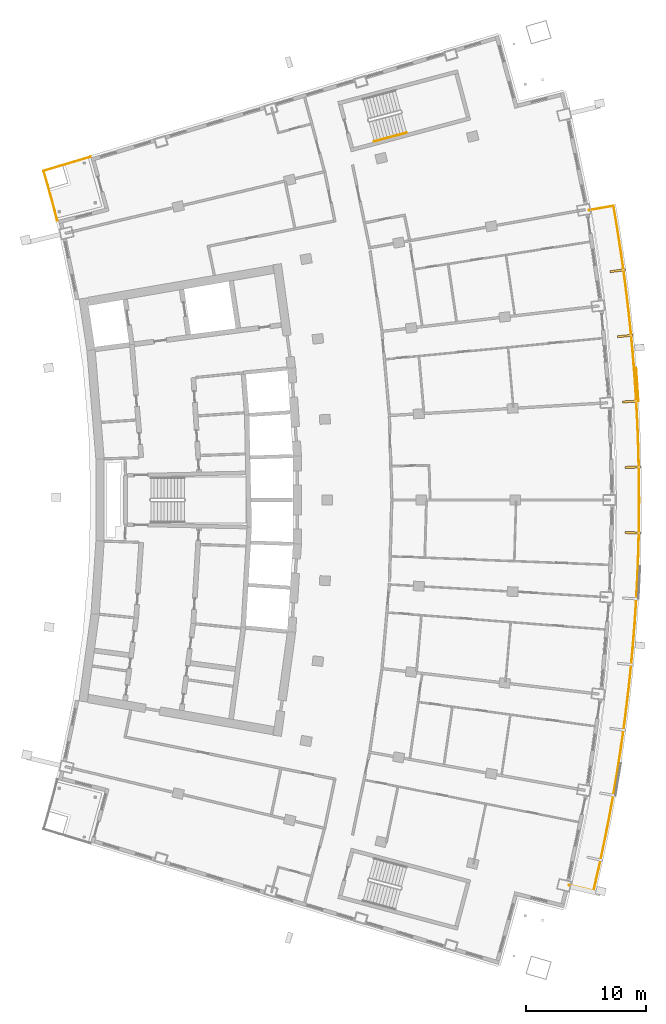
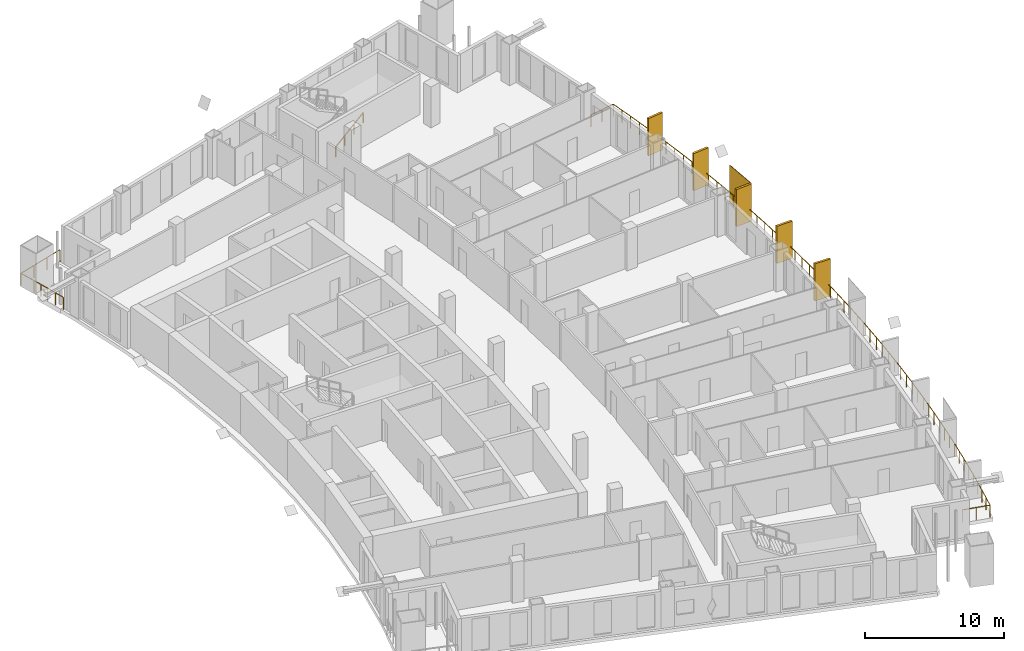
# One storey, part 19 of 20: 6 shading devices, 3 railings.
"""IFC4 building model written with IfcOpenShell, lengths in metres."""

from ifc_helpers import new_model, si_unit, direction, frame, origin, origin_2d, place, context, subcontext, project, spatial, rectangle, extrude, material, layer, layer_set, type_object, element, save


model = new_model("IFC4")

# Units and contexts
model_context = context("Model", 3, precision=1e-05, world=origin(), true_north=direction((0.0, 1.0)))
body_context = subcontext(model_context, "Body", "Model", "MODEL_VIEW")
ifc_project = project(units=[si_unit("LENGTHUNIT", "METRE"), si_unit("AREAUNIT", "SQUARE_METRE"), si_unit("VOLUMEUNIT", "CUBIC_METRE"), si_unit("PLANEANGLEUNIT", "RADIAN"), si_unit("MASSUNIT", "GRAM", prefix="KILO")], contexts=[model_context])

# Site, building, storey
site_placement = place(None, origin())
site = spatial("IfcSite", under=ifc_project, at=site_placement, CompositionType="ELEMENT")
building_placement = place(site_placement, origin())
building = spatial("IfcBuilding", under=site, at=building_placement, Name="Alderwake Tower", CompositionType="ELEMENT")
storey_placement = place(building_placement, frame((0.0, 0.0, 167.60009765625)))
storey = spatial("IfcBuildingStorey", under=building, at=storey_placement, Name="L41", CompositionType="ELEMENT", Elevation=167.60009765625)

# Railings
ifc_material_1 = material(Name="Stainless steel 316 rail and posts", Category="steel")
railing_type_1 = type_object("IfcRailingType", Name="Balcony guard 1100", PredefinedType="GUARDRAIL", material=ifc_material_1)
railing_1_placement = place(storey_placement, frame((56.0341796875, 28.77099609375, 0.0)))
element("IfcRailing", 1, at=railing_1_placement, inside=storey, type_object=railing_type_1, Name="Guard BF03", PredefinedType="GUARDRAIL", context=body_context, shape_type="SweptSolid", body=[
    extrude(rectangle(XDim=0.048095703125, YDim=0.048095703125, at=origin_2d()), frame((0.0, 0.0, 1.076171875), z_axis=(0.973063818564, -0.230535908269, 0.0), x_axis=(0.230535908269, 0.973063818564, 0.0)), (0.0, 0.0, 1.0), 2.10009765625),
    extrude(rectangle(XDim=0.048095703125, YDim=0.048095703125, at=origin_2d()), frame((2.04345703125, -0.484130859375, 1.076171875), z_axis=(0.22376384177, 0.974643392794, 0.0), x_axis=(-0.974643392794, 0.22376384177, 0.0)), (0.0, 0.0, 1.0), 1.969482421875),
    extrude(rectangle(XDim=0.048095703125, YDim=0.048095703125, at=origin_2d()), frame((2.484130859375, 1.435302734375, 1.076171875), z_axis=(0.210004437126, 0.977700432846, 0.0), x_axis=(-0.977700432846, 0.210004437126, 0.0)), (0.0, 0.0, 1.0), 2.0693359375),
    extrude(rectangle(XDim=0.048095703125, YDim=0.048095703125, at=origin_2d()), frame((2.918701171875, 3.45849609375, 1.076171875), z_axis=(0.195594316836, 0.98068489497, 0.0), x_axis=(-0.98068489497, 0.195594316836, 0.0)), (0.0, 0.0, 1.0), 2.069580078125),
    extrude(rectangle(XDim=0.048095703125, YDim=0.048095703125, at=origin_2d()), frame((3.323486328125, 5.488037109375, 1.076171875), z_axis=(0.181210472895, 0.983444337272, 0.0), x_axis=(-0.983444337272, 0.181210472895, 0.0)), (0.0, 0.0, 1.0), 2.0693359375),
    extrude(rectangle(XDim=0.048095703125, YDim=0.048095703125, at=origin_2d()), frame((3.698486328125, 7.523193359375, 1.076171875), z_axis=(0.166943001759, 0.985966548197, 0.0), x_axis=(-0.985966548197, 0.166943001759, 0.0)), (0.0, 0.0, 1.0), 2.0693359375),
    extrude(rectangle(XDim=0.048095703125, YDim=0.048095703125, at=origin_2d()), frame((4.0439453125, 9.5634765625, 1.076171875), z_axis=(0.152562548406, 0.988293817052, 0.0), x_axis=(-0.988293817052, 0.152562548406, 0.0)), (0.0, 0.0, 1.0), 2.069091796875),
    extrude(rectangle(XDim=0.048095703125, YDim=0.048095703125, at=origin_2d()), frame((4.359619140625, 11.6083984375, 1.076171875), z_axis=(0.138018425893, 0.990429661366, 0.0), x_axis=(-0.990429661366, 0.138018425893, 0.0)), (0.0, 0.0, 1.0), 2.069580078125),
    extrude(rectangle(XDim=0.048095703125, YDim=0.048095703125, at=origin_2d()), frame((4.645263671875, 13.658203125, 1.076171875), z_axis=(0.123657146536, 0.99232500226, 0.0), x_axis=(-0.99232500226, 0.123657146536, 0.0)), (0.0, 0.0, 1.0), 2.069091796875),
    extrude(rectangle(XDim=0.048095703125, YDim=0.048095703125, at=origin_2d()), frame((4.901123046875, 15.71142578125, 1.076171875), z_axis=(0.109240237301, 0.994015377424, 0.0), x_axis=(-0.994015377424, 0.109240237301, 0.0)), (0.0, 0.0, 1.0), 2.069580078125),
    extrude(rectangle(XDim=0.048095703125, YDim=0.048095703125, at=origin_2d()), frame((5.127197265625, 17.7685546875, 1.076171875), z_axis=(0.094619793001, 0.995513482969, 0.0), x_axis=(-0.995513482969, 0.094619793001, 0.0)), (0.0, 0.0, 1.0), 2.0693359375),
    extrude(rectangle(XDim=0.048095703125, YDim=0.048095703125, at=origin_2d()), frame((5.322998046875, 19.82861328125, 1.076171875), z_axis=(0.080106274951, 0.996786328515, 0.0), x_axis=(-0.996786328515, 0.080106274951, 0.0)), (0.0, 0.0, 1.0), 2.0693359375),
    extrude(rectangle(XDim=0.048095703125, YDim=0.048095703125, at=origin_2d()), frame((5.48876953125, 21.891357421875, 1.076171875), z_axis=(0.065595005749, 0.99784632846, 0.0), x_axis=(-0.99784632846, 0.065595005749, 0.0)), (0.0, 0.0, 1.0), 2.0693359375),
    extrude(rectangle(XDim=0.048095703125, YDim=0.048095703125, at=origin_2d()), frame((5.62451171875, 23.956298828125, 1.076171875), z_axis=(0.050967340633, 0.998700320511, 0.0), x_axis=(-0.998700320511, 0.050967340633, 0.0)), (0.0, 0.0, 1.0), 2.0693359375),
    extrude(rectangle(XDim=0.048095703125, YDim=0.048095703125, at=origin_2d()), frame((5.72998046875, 26.02294921875, 1.076171875), z_axis=(0.036457447313, 0.999335206292, 0.0), x_axis=(-0.999335206292, 0.036457447313, 0.0)), (0.0, 0.0, 1.0), 2.0693359375),
    extrude(rectangle(XDim=0.048095703125, YDim=0.048095703125, at=origin_2d()), frame((5.805419921875, 28.0908203125, 1.076171875), z_axis=(0.02194420706, 0.999759196895, 0.0), x_axis=(-0.999759196895, 0.02194420706, 0.0)), (0.0, 0.0, 1.0), 2.0693359375),
    extrude(rectangle(XDim=0.048095703125, YDim=0.048095703125, at=origin_2d()), frame((5.850830078125, 30.15966796875, 1.076171875), z_axis=(0.007196604572, 0.999974104106, 0.0), x_axis=(-0.999974104106, 0.007196604572, 0.0)), (0.0, 0.0, 1.0), 2.0693359375),
    extrude(rectangle(XDim=0.048095703125, YDim=0.048095703125, at=origin_2d()), frame((5.86572265625, 32.22900390625, 1.076171875), z_axis=(-0.007196604572, 0.999974104106, 0.0), x_axis=(-0.999974104106, -0.007196604572, 0.0)), (0.0, 0.0, 1.0), 2.0693359375),
    extrude(rectangle(XDim=0.048095703125, YDim=0.048095703125, at=origin_2d()), frame((5.850830078125, 34.29833984375, 1.076171875), z_axis=(-0.02194420706, 0.999759196895, 0.0), x_axis=(-0.999759196895, -0.02194420706, 0.0)), (0.0, 0.0, 1.0), 2.0693359375),
    extrude(rectangle(XDim=0.048095703125, YDim=0.048095703125, at=origin_2d()), frame((5.805419921875, 36.3671875, 1.076171875), z_axis=(-0.036457447313, 0.999335206292, 0.0), x_axis=(-0.999335206292, -0.036457447313, 0.0)), (0.0, 0.0, 1.0), 2.0693359375),
    extrude(rectangle(XDim=0.048095703125, YDim=0.048095703125, at=origin_2d()), frame((5.72998046875, 38.43505859375, 1.076171875), z_axis=(-0.050967340633, 0.998700320511, 0.0), x_axis=(-0.998700320511, -0.050967340633, 0.0)), (0.0, 0.0, 1.0), 2.0693359375),
    extrude(rectangle(XDim=0.048095703125, YDim=0.048095703125, at=origin_2d()), frame((5.62451171875, 40.501708984375, 1.076171875), z_axis=(-0.065595005749, 0.99784632846, 0.0), x_axis=(-0.99784632846, -0.065595005749, 0.0)), (0.0, 0.0, 1.0), 2.0693359375),
    extrude(rectangle(XDim=0.048095703125, YDim=0.048095703125, at=origin_2d()), frame((5.48876953125, 42.566650390625, 1.076171875), z_axis=(-0.080106274951, 0.996786328515, 0.0), x_axis=(-0.996786328515, -0.080106274951, 0.0)), (0.0, 0.0, 1.0), 2.0693359375),
    extrude(rectangle(XDim=0.048095703125, YDim=0.048095703125, at=origin_2d()), frame((5.322998046875, 44.62939453125, 1.076171875), z_axis=(-0.094619793001, 0.995513482969, 0.0), x_axis=(-0.995513482969, -0.094619793001, 0.0)), (0.0, 0.0, 1.0), 2.0693359375),
    extrude(rectangle(XDim=0.048095703125, YDim=0.048095703125, at=origin_2d()), frame((5.127197265625, 46.689453125, 1.076171875), z_axis=(-0.109240237301, 0.994015377424, 0.0), x_axis=(-0.994015377424, -0.109240237301, 0.0)), (0.0, 0.0, 1.0), 2.069580078125),
    extrude(rectangle(XDim=0.048095703125, YDim=0.048095703125, at=origin_2d()), frame((4.901123046875, 48.74658203125, 1.076171875), z_axis=(-0.123657146536, 0.99232500226, 0.0), x_axis=(-0.99232500226, -0.123657146536, 0.0)), (0.0, 0.0, 1.0), 2.069091796875),
    extrude(rectangle(XDim=0.048095703125, YDim=0.048095703125, at=origin_2d()), frame((4.645263671875, 50.7998046875, 1.076171875), z_axis=(-0.138018425893, 0.990429661366, 0.0), x_axis=(-0.990429661366, -0.138018425893, 0.0)), (0.0, 0.0, 1.0), 2.069580078125),
    extrude(rectangle(XDim=0.048095703125, YDim=0.048095703125, at=origin_2d()), frame((4.359619140625, 52.849609375, 1.076171875), z_axis=(-0.152562548406, 0.988293817052, 0.0), x_axis=(-0.988293817052, -0.152562548406, 0.0)), (0.0, 0.0, 1.0), 2.069091796875),
    extrude(rectangle(XDim=0.048095703125, YDim=0.048095703125, at=origin_2d()), frame((4.0439453125, 54.89453125, 1.076171875), z_axis=(-0.166609853632, 0.986022898655, 0.0), x_axis=(-0.986022898655, -0.166609853632, 0.0)), (0.0, 0.0, 1.0), 1.969482421875),
    extrude(rectangle(XDim=0.048095703125, YDim=0.048095703125, at=origin_2d()), frame((3.7158203125, 56.83642578125, 1.076171875), z_axis=(-0.984860709852, -0.173347576247, 0.0), x_axis=(0.173347576247, -0.984860709852, 0.0)), (0.0, 0.0, 1.0), 2.099853515625),
    extrude(rectangle(XDim=0.0419921875, YDim=0.0419921875, at=origin_2d()), frame((0.0, 0.0, 0.0), z_axis=(0.0, 0.0, 1.0), x_axis=(0.973063818564, -0.230535908269, 0.0)), (0.0, 0.0, 1.0), 1.052001953125),
    extrude(rectangle(XDim=0.0419921875, YDim=0.0419921875, at=origin_2d()), frame((1.021728515625, -0.2421875, 0.0), z_axis=(0.0, 0.0, 1.0), x_axis=(0.973063818564, -0.230535908269, 0.0)), (0.0, 0.0, 1.0), 1.052001953125),
    extrude(rectangle(XDim=0.0419921875, YDim=0.0419921875, at=origin_2d()), frame((2.04345703125, -0.484130859375, 0.0), z_axis=(0.0, 0.0, 1.0), x_axis=(0.22376384177, 0.974643392794, 0.0)), (0.0, 0.0, 1.0), 1.052001953125),
    extrude(rectangle(XDim=0.0419921875, YDim=0.0419921875, at=origin_2d()), frame((2.263671875, 0.4755859375, 0.0), z_axis=(0.0, 0.0, 1.0), x_axis=(0.22376384177, 0.974643392794, 0.0)), (0.0, 0.0, 1.0), 1.052001953125),
    extrude(rectangle(XDim=0.0419921875, YDim=0.0419921875, at=origin_2d()), frame((2.484130859375, 1.435302734375, 0.0), z_axis=(0.0, 0.0, 1.0), x_axis=(0.210004437126, 0.977700432846, 0.0)), (0.0, 0.0, 1.0), 1.052001953125),
    extrude(rectangle(XDim=0.0419921875, YDim=0.0419921875, at=origin_2d()), frame((2.701416015625, 2.44677734375, 0.0), z_axis=(0.0, 0.0, 1.0), x_axis=(0.210004437126, 0.977700432846, 0.0)), (0.0, 0.0, 1.0), 1.052001953125),
    extrude(rectangle(XDim=0.0419921875, YDim=0.0419921875, at=origin_2d()), frame((2.918701171875, 3.45849609375, 0.0), z_axis=(0.0, 0.0, 1.0), x_axis=(0.195594316836, 0.98068489497, 0.0)), (0.0, 0.0, 1.0), 1.052001953125),
    extrude(rectangle(XDim=0.0419921875, YDim=0.0419921875, at=origin_2d()), frame((3.12109375, 4.47314453125, 0.0), z_axis=(0.0, 0.0, 1.0), x_axis=(0.195594316836, 0.98068489497, 0.0)), (0.0, 0.0, 1.0), 1.052001953125),
    extrude(rectangle(XDim=0.0419921875, YDim=0.0419921875, at=origin_2d()), frame((3.323486328125, 5.488037109375, 0.0), z_axis=(0.0, 0.0, 1.0), x_axis=(0.181210472895, 0.983444337272, 0.0)), (0.0, 0.0, 1.0), 1.052001953125),
    extrude(rectangle(XDim=0.0419921875, YDim=0.0419921875, at=origin_2d()), frame((3.510986328125, 6.505615234375, 0.0), z_axis=(0.0, 0.0, 1.0), x_axis=(0.181210472895, 0.983444337272, 0.0)), (0.0, 0.0, 1.0), 1.052001953125),
    extrude(rectangle(XDim=0.0419921875, YDim=0.0419921875, at=origin_2d()), frame((3.698486328125, 7.523193359375, 0.0), z_axis=(0.0, 0.0, 1.0), x_axis=(0.166943001759, 0.985966548197, 0.0)), (0.0, 0.0, 1.0), 1.052001953125),
    extrude(rectangle(XDim=0.0419921875, YDim=0.0419921875, at=origin_2d()), frame((3.87109375, 8.54345703125, 0.0), z_axis=(0.0, 0.0, 1.0), x_axis=(0.166943001759, 0.985966548197, 0.0)), (0.0, 0.0, 1.0), 1.052001953125),
    extrude(rectangle(XDim=0.0419921875, YDim=0.0419921875, at=origin_2d()), frame((4.0439453125, 9.5634765625, 0.0), z_axis=(0.0, 0.0, 1.0), x_axis=(0.152562548406, 0.988293817052, 0.0)), (0.0, 0.0, 1.0), 1.052001953125),
    extrude(rectangle(XDim=0.0419921875, YDim=0.0419921875, at=origin_2d()), frame((4.20166015625, 10.5859375, 0.0), z_axis=(0.0, 0.0, 1.0), x_axis=(0.152562548406, 0.988293817052, 0.0)), (0.0, 0.0, 1.0), 1.052001953125),
    extrude(rectangle(XDim=0.0419921875, YDim=0.0419921875, at=origin_2d()), frame((4.359619140625, 11.6083984375, 0.0), z_axis=(0.0, 0.0, 1.0), x_axis=(0.138018425893, 0.990429661366, 0.0)), (0.0, 0.0, 1.0), 1.052001953125),
    extrude(rectangle(XDim=0.0419921875, YDim=0.0419921875, at=origin_2d()), frame((4.50244140625, 12.63330078125, 0.0), z_axis=(0.0, 0.0, 1.0), x_axis=(0.138018425893, 0.990429661366, 0.0)), (0.0, 0.0, 1.0), 1.052001953125),
    extrude(rectangle(XDim=0.0419921875, YDim=0.0419921875, at=origin_2d()), frame((4.645263671875, 13.658203125, 0.0), z_axis=(0.0, 0.0, 1.0), x_axis=(0.123657146536, 0.99232500226, 0.0)), (0.0, 0.0, 1.0), 1.052001953125),
    extrude(rectangle(XDim=0.0419921875, YDim=0.0419921875, at=origin_2d()), frame((4.773193359375, 14.684814453125, 0.0), z_axis=(0.0, 0.0, 1.0), x_axis=(0.123657146536, 0.99232500226, 0.0)), (0.0, 0.0, 1.0), 1.052001953125),
    extrude(rectangle(XDim=0.0419921875, YDim=0.0419921875, at=origin_2d()), frame((4.901123046875, 15.71142578125, 0.0), z_axis=(0.0, 0.0, 1.0), x_axis=(0.109240237301, 0.994015377424, 0.0)), (0.0, 0.0, 1.0), 1.052001953125),
    extrude(rectangle(XDim=0.0419921875, YDim=0.0419921875, at=origin_2d()), frame((5.01416015625, 16.739990234375, 0.0), z_axis=(0.0, 0.0, 1.0), x_axis=(0.109240237301, 0.994015377424, 0.0)), (0.0, 0.0, 1.0), 1.052001953125),
    extrude(rectangle(XDim=0.0419921875, YDim=0.0419921875, at=origin_2d()), frame((5.127197265625, 17.7685546875, 0.0), z_axis=(0.0, 0.0, 1.0), x_axis=(0.094619793001, 0.995513482969, 0.0)), (0.0, 0.0, 1.0), 1.052001953125),
    extrude(rectangle(XDim=0.0419921875, YDim=0.0419921875, at=origin_2d()), frame((5.22509765625, 18.798583984375, 0.0), z_axis=(0.0, 0.0, 1.0), x_axis=(0.094619793001, 0.995513482969, 0.0)), (0.0, 0.0, 1.0), 1.052001953125),
    extrude(rectangle(XDim=0.0419921875, YDim=0.0419921875, at=origin_2d()), frame((5.322998046875, 19.82861328125, 0.0), z_axis=(0.0, 0.0, 1.0), x_axis=(0.080106274951, 0.996786328515, 0.0)), (0.0, 0.0, 1.0), 1.052001953125),
    extrude(rectangle(XDim=0.0419921875, YDim=0.0419921875, at=origin_2d()), frame((5.40576171875, 20.85986328125, 0.0), z_axis=(0.0, 0.0, 1.0), x_axis=(0.080106274951, 0.996786328515, 0.0)), (0.0, 0.0, 1.0), 1.052001953125),
    extrude(rectangle(XDim=0.0419921875, YDim=0.0419921875, at=origin_2d()), frame((5.48876953125, 21.891357421875, 0.0), z_axis=(0.0, 0.0, 1.0), x_axis=(0.065595005749, 0.99784632846, 0.0)), (0.0, 0.0, 1.0), 1.052001953125),
    extrude(rectangle(XDim=0.0419921875, YDim=0.0419921875, at=origin_2d()), frame((5.556640625, 22.923828125, 0.0), z_axis=(0.0, 0.0, 1.0), x_axis=(0.065595005749, 0.99784632846, 0.0)), (0.0, 0.0, 1.0), 1.052001953125),
    extrude(rectangle(XDim=0.0419921875, YDim=0.0419921875, at=origin_2d()), frame((5.62451171875, 23.956298828125, 0.0), z_axis=(0.0, 0.0, 1.0), x_axis=(0.050967340633, 0.998700320511, 0.0)), (0.0, 0.0, 1.0), 1.052001953125),
    extrude(rectangle(XDim=0.0419921875, YDim=0.0419921875, at=origin_2d()), frame((5.67724609375, 24.98974609375, 0.0), z_axis=(0.0, 0.0, 1.0), x_axis=(0.050967340633, 0.998700320511, 0.0)), (0.0, 0.0, 1.0), 1.052001953125),
    extrude(rectangle(XDim=0.0419921875, YDim=0.0419921875, at=origin_2d()), frame((5.72998046875, 26.02294921875, 0.0), z_axis=(0.0, 0.0, 1.0), x_axis=(0.036457447313, 0.999335206292, 0.0)), (0.0, 0.0, 1.0), 1.052001953125),
    extrude(rectangle(XDim=0.0419921875, YDim=0.0419921875, at=origin_2d()), frame((5.767578125, 27.056884765625, 0.0), z_axis=(0.0, 0.0, 1.0), x_axis=(0.036457447313, 0.999335206292, 0.0)), (0.0, 0.0, 1.0), 1.052001953125),
    extrude(rectangle(XDim=0.0419921875, YDim=0.0419921875, at=origin_2d()), frame((5.805419921875, 28.0908203125, 0.0), z_axis=(0.0, 0.0, 1.0), x_axis=(0.02194420706, 0.999759196895, 0.0)), (0.0, 0.0, 1.0), 1.052001953125),
    extrude(rectangle(XDim=0.0419921875, YDim=0.0419921875, at=origin_2d()), frame((5.828125, 29.125244140625, 0.0), z_axis=(0.0, 0.0, 1.0), x_axis=(0.02194420706, 0.999759196895, 0.0)), (0.0, 0.0, 1.0), 1.052001953125),
    extrude(rectangle(XDim=0.0419921875, YDim=0.0419921875, at=origin_2d()), frame((5.850830078125, 30.15966796875, 0.0), z_axis=(0.0, 0.0, 1.0), x_axis=(0.007196604572, 0.999974104106, 0.0)), (0.0, 0.0, 1.0), 1.052001953125),
    extrude(rectangle(XDim=0.0419921875, YDim=0.0419921875, at=origin_2d()), frame((5.8583984375, 31.1943359375, 0.0), z_axis=(0.0, 0.0, 1.0), x_axis=(0.007196604572, 0.999974104106, 0.0)), (0.0, 0.0, 1.0), 1.052001953125),
    extrude(rectangle(XDim=0.0419921875, YDim=0.0419921875, at=origin_2d()), frame((5.86572265625, 32.22900390625, 0.0), z_axis=(0.0, 0.0, 1.0), x_axis=(-0.007196604572, 0.999974104106, 0.0)), (0.0, 0.0, 1.0), 1.052001953125),
    extrude(rectangle(XDim=0.0419921875, YDim=0.0419921875, at=origin_2d()), frame((5.8583984375, 33.263671875, 0.0), z_axis=(0.0, 0.0, 1.0), x_axis=(-0.007196604572, 0.999974104106, 0.0)), (0.0, 0.0, 1.0), 1.052001953125),
    extrude(rectangle(XDim=0.0419921875, YDim=0.0419921875, at=origin_2d()), frame((5.850830078125, 34.29833984375, 0.0), z_axis=(0.0, 0.0, 1.0), x_axis=(-0.02194420706, 0.999759196895, 0.0)), (0.0, 0.0, 1.0), 1.052001953125),
    extrude(rectangle(XDim=0.0419921875, YDim=0.0419921875, at=origin_2d()), frame((5.828125, 35.332763671875, 0.0), z_axis=(0.0, 0.0, 1.0), x_axis=(-0.02194420706, 0.999759196895, 0.0)), (0.0, 0.0, 1.0), 1.052001953125),
    extrude(rectangle(XDim=0.0419921875, YDim=0.0419921875, at=origin_2d()), frame((5.805419921875, 36.3671875, 0.0), z_axis=(0.0, 0.0, 1.0), x_axis=(-0.036457447313, 0.999335206292, 0.0)), (0.0, 0.0, 1.0), 1.052001953125),
    extrude(rectangle(XDim=0.0419921875, YDim=0.0419921875, at=origin_2d()), frame((5.767578125, 37.401123046875, 0.0), z_axis=(0.0, 0.0, 1.0), x_axis=(-0.036457447313, 0.999335206292, 0.0)), (0.0, 0.0, 1.0), 1.052001953125),
    extrude(rectangle(XDim=0.0419921875, YDim=0.0419921875, at=origin_2d()), frame((5.72998046875, 38.43505859375, 0.0), z_axis=(0.0, 0.0, 1.0), x_axis=(-0.050967340633, 0.998700320511, 0.0)), (0.0, 0.0, 1.0), 1.052001953125),
    extrude(rectangle(XDim=0.0419921875, YDim=0.0419921875, at=origin_2d()), frame((5.67724609375, 39.46826171875, 0.0), z_axis=(0.0, 0.0, 1.0), x_axis=(-0.050967340633, 0.998700320511, 0.0)), (0.0, 0.0, 1.0), 1.052001953125),
    extrude(rectangle(XDim=0.0419921875, YDim=0.0419921875, at=origin_2d()), frame((5.62451171875, 40.501708984375, 0.0), z_axis=(0.0, 0.0, 1.0), x_axis=(-0.065595005749, 0.99784632846, 0.0)), (0.0, 0.0, 1.0), 1.052001953125),
    extrude(rectangle(XDim=0.0419921875, YDim=0.0419921875, at=origin_2d()), frame((5.556640625, 41.5341796875, 0.0), z_axis=(0.0, 0.0, 1.0), x_axis=(-0.065595005749, 0.99784632846, 0.0)), (0.0, 0.0, 1.0), 1.052001953125),
    extrude(rectangle(XDim=0.0419921875, YDim=0.0419921875, at=origin_2d()), frame((5.48876953125, 42.566650390625, 0.0), z_axis=(0.0, 0.0, 1.0), x_axis=(-0.080106274951, 0.996786328515, 0.0)), (0.0, 0.0, 1.0), 1.052001953125),
    extrude(rectangle(XDim=0.0419921875, YDim=0.0419921875, at=origin_2d()), frame((5.40576171875, 43.59814453125, 0.0), z_axis=(0.0, 0.0, 1.0), x_axis=(-0.080106274951, 0.996786328515, 0.0)), (0.0, 0.0, 1.0), 1.052001953125),
    extrude(rectangle(XDim=0.0419921875, YDim=0.0419921875, at=origin_2d()), frame((5.322998046875, 44.62939453125, 0.0), z_axis=(0.0, 0.0, 1.0), x_axis=(-0.094619793001, 0.995513482969, 0.0)), (0.0, 0.0, 1.0), 1.052001953125),
    extrude(rectangle(XDim=0.0419921875, YDim=0.0419921875, at=origin_2d()), frame((5.22509765625, 45.659423828125, 0.0), z_axis=(0.0, 0.0, 1.0), x_axis=(-0.094619793001, 0.995513482969, 0.0)), (0.0, 0.0, 1.0), 1.052001953125),
    extrude(rectangle(XDim=0.0419921875, YDim=0.0419921875, at=origin_2d()), frame((5.127197265625, 46.689453125, 0.0), z_axis=(0.0, 0.0, 1.0), x_axis=(-0.109240237301, 0.994015377424, 0.0)), (0.0, 0.0, 1.0), 1.052001953125),
    extrude(rectangle(XDim=0.0419921875, YDim=0.0419921875, at=origin_2d()), frame((5.01416015625, 47.718017578125, 0.0), z_axis=(0.0, 0.0, 1.0), x_axis=(-0.109240237301, 0.994015377424, 0.0)), (0.0, 0.0, 1.0), 1.052001953125),
    extrude(rectangle(XDim=0.0419921875, YDim=0.0419921875, at=origin_2d()), frame((4.901123046875, 48.74658203125, 0.0), z_axis=(0.0, 0.0, 1.0), x_axis=(-0.123657146536, 0.99232500226, 0.0)), (0.0, 0.0, 1.0), 1.052001953125),
    extrude(rectangle(XDim=0.0419921875, YDim=0.0419921875, at=origin_2d()), frame((4.773193359375, 49.773193359375, 0.0), z_axis=(0.0, 0.0, 1.0), x_axis=(-0.123657146536, 0.99232500226, 0.0)), (0.0, 0.0, 1.0), 1.052001953125),
    extrude(rectangle(XDim=0.0419921875, YDim=0.0419921875, at=origin_2d()), frame((4.645263671875, 50.7998046875, 0.0), z_axis=(0.0, 0.0, 1.0), x_axis=(-0.138018425893, 0.990429661366, 0.0)), (0.0, 0.0, 1.0), 1.052001953125),
    extrude(rectangle(XDim=0.0419921875, YDim=0.0419921875, at=origin_2d()), frame((4.50244140625, 51.82470703125, 0.0), z_axis=(0.0, 0.0, 1.0), x_axis=(-0.138018425893, 0.990429661366, 0.0)), (0.0, 0.0, 1.0), 1.052001953125),
    extrude(rectangle(XDim=0.0419921875, YDim=0.0419921875, at=origin_2d()), frame((4.359619140625, 52.849609375, 0.0), z_axis=(0.0, 0.0, 1.0), x_axis=(-0.152562548406, 0.988293817052, 0.0)), (0.0, 0.0, 1.0), 1.052001953125),
    extrude(rectangle(XDim=0.0419921875, YDim=0.0419921875, at=origin_2d()), frame((4.20166015625, 53.8720703125, 0.0), z_axis=(0.0, 0.0, 1.0), x_axis=(-0.152562548406, 0.988293817052, 0.0)), (0.0, 0.0, 1.0), 1.052001953125),
    extrude(rectangle(XDim=0.0419921875, YDim=0.0419921875, at=origin_2d()), frame((4.0439453125, 54.89453125, 0.0), z_axis=(0.0, 0.0, 1.0), x_axis=(-0.166609853632, 0.986022898655, 0.0)), (0.0, 0.0, 1.0), 1.052001953125),
    extrude(rectangle(XDim=0.0419921875, YDim=0.0419921875, at=origin_2d()), frame((3.8798828125, 55.865478515625, 0.0), z_axis=(0.0, 0.0, 1.0), x_axis=(-0.166609853632, 0.986022898655, 0.0)), (0.0, 0.0, 1.0), 1.052001953125),
    extrude(rectangle(XDim=0.0419921875, YDim=0.0419921875, at=origin_2d()), frame((3.7158203125, 56.83642578125, 0.0), z_axis=(0.0, 0.0, 1.0), x_axis=(-0.984860709852, -0.173347576247, 0.0)), (0.0, 0.0, 1.0), 1.052001953125),
    extrude(rectangle(XDim=0.0419921875, YDim=0.0419921875, at=origin_2d()), frame((2.681640625, 56.654296875, 0.0), z_axis=(0.0, 0.0, 1.0), x_axis=(-0.984860709852, -0.173347576247, 0.0)), (0.0, 0.0, 1.0), 1.052001953125),
    extrude(rectangle(XDim=0.0419921875, YDim=0.0419921875, at=origin_2d()), frame((1.647705078125, 56.472412109375, 0.0), z_axis=(0.0, 0.0, 1.0), x_axis=(-0.984860709852, -0.173347576247, 0.0)), (0.0, 0.0, 1.0), 1.052001953125),
])
railing_2_placement = place(storey_placement, frame((13.210693359375, 84.387451171875, 0.0)))
element("IfcRailing", 2, at=railing_2_placement, inside=storey, type_object=railing_type_1, Name="Guard terrace RN", PredefinedType="GUARDRAIL", context=body_context, shape_type="SweptSolid", body=[
    extrude(rectangle(XDim=0.048095703125, YDim=0.048095703125, at=origin_2d()), frame((0.0, 0.0, 1.076171875), z_axis=(-0.251385381433, 0.967887075026, 0.0), x_axis=(-0.967887075026, -0.251385381433, 0.0)), (0.0, 0.0, 1.0), 1.6015625),
    extrude(rectangle(XDim=0.048095703125, YDim=0.048095703125, at=origin_2d()), frame((-0.402587890625, 1.550048828125, 1.076171875), z_axis=(-0.266520638672, 0.963829211615, 0.0), x_axis=(-0.963829211615, -0.266520638672, 0.0)), (0.0, 0.0, 1.0), 1.401611328125),
    extrude(rectangle(XDim=0.048095703125, YDim=0.048095703125, at=origin_2d()), frame((-0.776123046875, 2.90087890625, 1.076171875), z_axis=(-0.280093650878, 0.959972680204, 0.0), x_axis=(-0.959972680204, -0.280093650878, 0.0)), (0.0, 0.0, 1.0), 1.30126953125),
    extrude(rectangle(XDim=0.048095703125, YDim=0.048095703125, at=origin_2d()), frame((-1.140625, 4.150146484375, 1.076171875), z_axis=(0.958066871889, 0.286544706789, 0.0), x_axis=(-0.286544706789, 0.958066871889, 0.0)), (0.0, 0.0, 1.0), 4.099853515625),
    extrude(rectangle(XDim=0.0419921875, YDim=0.0419921875, at=origin_2d()), frame((0.0, 0.0, 0.0), z_axis=(0.0, 0.0, 1.0), x_axis=(-0.251385381433, 0.967887075026, 0.0)), (0.0, 0.0, 1.0), 1.052001953125),
    extrude(rectangle(XDim=0.0419921875, YDim=0.0419921875, at=origin_2d()), frame((-0.201171875, 0.77490234375, 0.0), z_axis=(0.0, 0.0, 1.0), x_axis=(-0.251385381433, 0.967887075026, 0.0)), (0.0, 0.0, 1.0), 1.052001953125),
    extrude(rectangle(XDim=0.0419921875, YDim=0.0419921875, at=origin_2d()), frame((-0.402587890625, 1.550048828125, 0.0), z_axis=(0.0, 0.0, 1.0), x_axis=(-0.266520638672, 0.963829211615, 0.0)), (0.0, 0.0, 1.0), 1.052001953125),
    extrude(rectangle(XDim=0.0419921875, YDim=0.0419921875, at=origin_2d()), frame((-0.58935546875, 2.2255859375, 0.0), z_axis=(0.0, 0.0, 1.0), x_axis=(-0.266520638672, 0.963829211615, 0.0)), (0.0, 0.0, 1.0), 1.052001953125),
    extrude(rectangle(XDim=0.0419921875, YDim=0.0419921875, at=origin_2d()), frame((-0.776123046875, 2.90087890625, 0.0), z_axis=(0.0, 0.0, 1.0), x_axis=(-0.280093650878, 0.959972680204, 0.0)), (0.0, 0.0, 1.0), 1.052001953125),
    extrude(rectangle(XDim=0.0419921875, YDim=0.0419921875, at=origin_2d()), frame((-1.140625, 4.150146484375, 0.0), z_axis=(0.0, 0.0, 1.0), x_axis=(0.958066871889, 0.286544706789, 0.0)), (0.0, 0.0, 1.0), 1.052001953125),
    extrude(rectangle(XDim=0.0419921875, YDim=0.0419921875, at=origin_2d()), frame((0.168701171875, 4.541748046875, 0.0), z_axis=(0.0, 0.0, 1.0), x_axis=(0.958066871889, 0.286544706789, 0.0)), (0.0, 0.0, 1.0), 1.052001953125),
    extrude(rectangle(XDim=0.0419921875, YDim=0.0419921875, at=origin_2d()), frame((1.47802734375, 4.933349609375, 0.0), z_axis=(0.0, 0.0, 1.0), x_axis=(0.958066871889, 0.286544706789, 0.0)), (0.0, 0.0, 1.0), 1.052001953125),
    extrude(rectangle(XDim=0.0419921875, YDim=0.0419921875, at=origin_2d()), frame((2.787353515625, 5.324951171875, 0.0), z_axis=(0.0, 0.0, 1.0), x_axis=(0.958066871889, 0.286544706789, 0.0)), (0.0, 0.0, 1.0), 1.052001953125),
])

# Shading devices
ifc_material_2 = material(Name="Bronze anodised aluminium", Category="aluminium")
ifc_layer_1 = layer(ifc_material_2, 0.179931640625)
ifc_layer_set_1 = layer_set([ifc_layer_1], Name="Facade fin 1300")
shading_device_type_1 = type_object("IfcShadingDeviceType", Name="Facade fin 1300", PredefinedType="USERDEFINED", material=ifc_layer_set_1)
for number, where, z_axis, x_axis, name in (
    (3, (61.373291015625, 58.257080078125, 0.0), (0.0, 0.0, 1.0), (0.999811838809, -0.019398117887, 0.0), "Fin"),
    (4, (61.373291015625, 63.742919921875, 0.0), (0.0, 0.0, 1.0), (0.999811838809, 0.019398117887, 0.0), "Fin"),
    (5, (61.159912109375, 69.239013671875, 0.0), (0.0, 0.0, 1.0), (0.998301080988, 0.058266214038, 0.0), "Fin"),
    (6, (60.732666015625, 74.722412109375, 0.0), (0.0, 0.0, 1.0), (0.995279882363, 0.097046152751, 0.0), "Fin"),
    (7, (60.09228515625, 80.185302734375, 0.0), (0.0, 0.0, 1.0), (0.990752577235, 0.135680988728, 0.0), "Fin"),
):
    element("IfcShadingDevice", number, at=place(storey_placement, frame(where, z_axis=z_axis, x_axis=x_axis)), inside=storey, type_object=shading_device_type_1, Name=name, ObjectType="FIN", PredefinedType="USERDEFINED", context=body_context, shape_type="SweptSolid", body=[
        extrude(rectangle(XDim=1.300048828125, YDim=0.179931640625, at=origin_2d()), origin(), (0.0, 0.0, 1.0), 3.280029296875),
    ])
ifc_material_3 = material(Name="Perforated bronze anodised aluminium", Category="aluminium")
ifc_layer_2 = layer(ifc_material_3, 0.050048828125)
ifc_layer_set_2 = layer_set([ifc_layer_2], Name="Perforated screen panel")
shading_device_type_2 = type_object("IfcShadingDeviceType", Name="Perforated screen panel", PredefinedType="USERDEFINED", material=ifc_layer_set_2)
shading_device_placement = place(storey_placement, frame((61.739501953125, 70.660400390625, 0.0), z_axis=(0.0, 0.0, 1.0), x_axis=(0.997685465774, 0.067997877779, 0.0)))
element("IfcShadingDevice", 8, at=shading_device_placement, inside=storey, type_object=shading_device_type_2, Name="Screen panel", ObjectType="SCREEN", PredefinedType="USERDEFINED", context=body_context, shape_type="SweptSolid", body=[
    extrude(rectangle(XDim=0.050048828125, YDim=2.7705078125, at=origin_2d()), origin(), (0.0, 0.0, 1.0), 3.280029296875),
])

# Railing
ifc_material_4 = material(Name="Stainless steel handrail", Category="steel")
railing_type_2 = type_object("IfcRailingType", Name="Stair handrail 900", PredefinedType="HANDRAIL", material=ifc_material_4)
railing_3_placement = place(storey_placement, frame((39.731689453125, 91.002685546875, 0.16357421875)))
element("IfcRailing", 9, at=railing_3_placement, inside=storey, type_object=railing_type_2, Name="L41 ST-A stair handrail 1", PredefinedType="HANDRAIL", context=body_context, shape_type="SweptSolid", body=[
    extrude(rectangle(XDim=0.048095703125, YDim=0.048095703125, at=origin_2d()), frame((0.0, 0.0, 0.8759765625), z_axis=(0.834290631165, 0.222236594766, 0.504549342183), x_axis=(-0.257402139082, 0.966304371715, 0.0)), (0.0, 0.0, 1.0), 3.242919921875),
    extrude(rectangle(XDim=0.0419921875, YDim=0.0419921875, at=origin_2d()), frame((0.0, 0.0, 0.0), z_axis=(0.0, 0.0, 1.0), x_axis=(0.966304371715, 0.257402139082, 0.0)), (0.0, 0.0, 1.0), 0.851806640625),
    extrude(rectangle(XDim=0.0419921875, YDim=0.0419921875, at=origin_2d()), frame((0.90185546875, 0.240234375, 0.54541015625), z_axis=(0.0, 0.0, 1.0), x_axis=(0.966304371715, 0.257402139082, 0.0)), (0.0, 0.0, 1.0), 0.851806640625),
    extrude(rectangle(XDim=0.0419921875, YDim=0.0419921875, at=origin_2d()), frame((1.8037109375, 0.48046875, 1.0908203125), z_axis=(0.0, 0.0, 1.0), x_axis=(0.966304371715, 0.257402139082, 0.0)), (0.0, 0.0, 1.0), 0.851806640625),
    extrude(rectangle(XDim=0.0419921875, YDim=0.0419921875, at=origin_2d()), frame((2.70556640625, 0.720703125, 1.63623046875), z_axis=(0.0, 0.0, 1.0), x_axis=(0.966304371715, 0.257402139082, 0.0)), (0.0, 0.0, 1.0), 0.851806640625),
])

save(model, "model.ifc")
